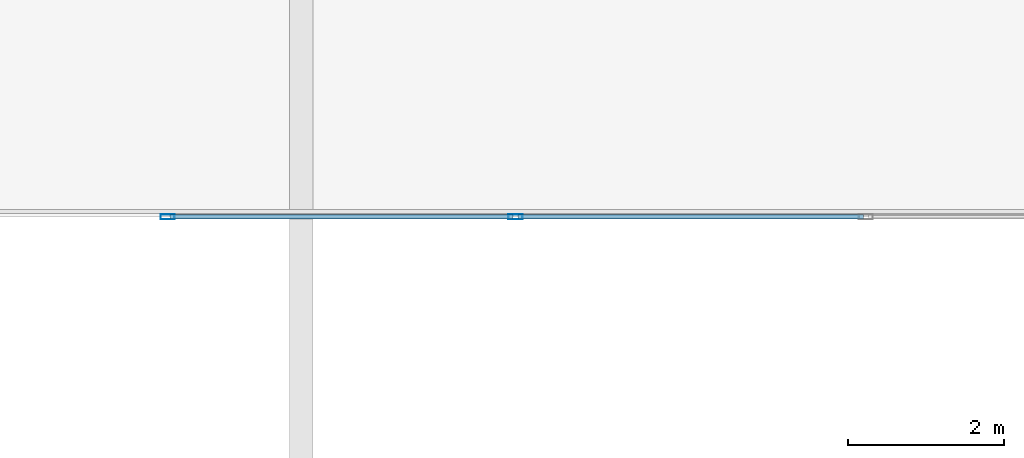
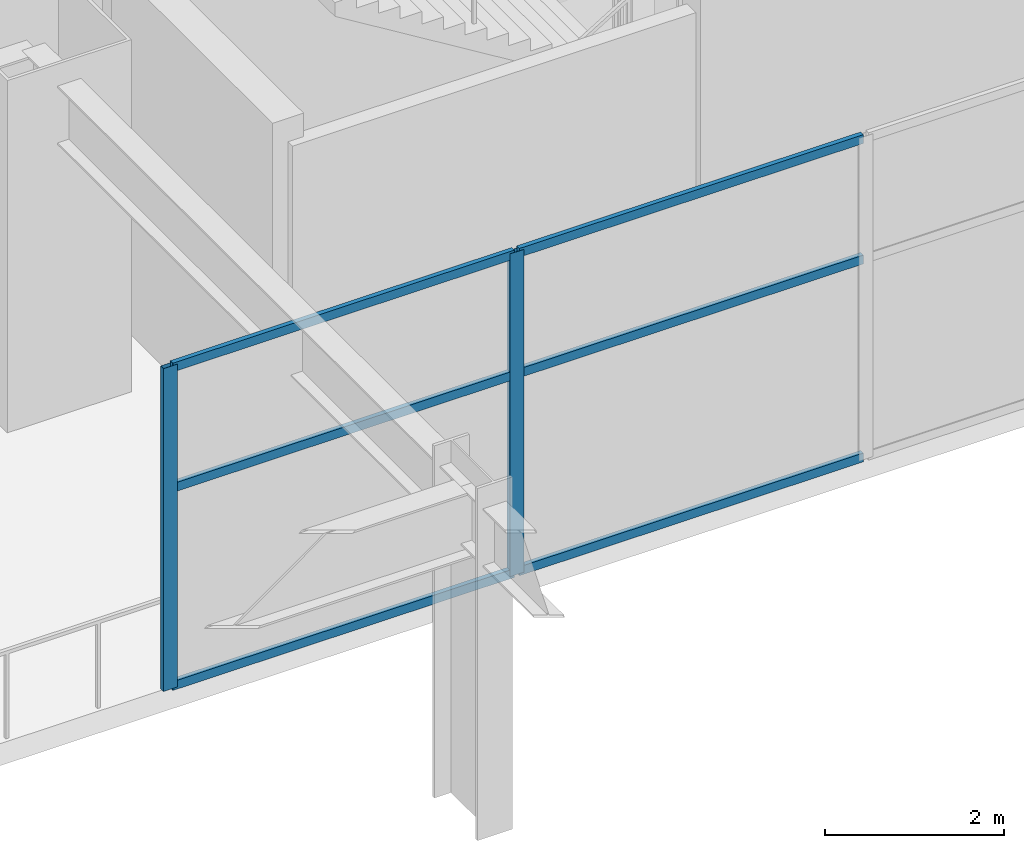
# One storey, part 8 of 30: 8 members, 1 element without a shape of its own.
"""IFC4 building model written with IfcOpenShell, lengths in metres."""

import ifcopenshell
import ifcopenshell.guid

model = None  # the IFC model being written
_history = None  # IfcOwnerHistory: only IFC2X3 demands one
_inside = {}  # id of a spatial element -> (the spatial element, [elements in it])
_under = {}  # id of a project, library or spatial element -> (it, [spatial elements below it])
_declared = {}  # id of a project -> (the project, [libraries it declares])
_typed = {}  # id of a type object -> (the type object, [elements of that type])
_made_of = {}  # id of a material, layer set ... -> (it, [elements and type objects made of it])


def new_model(schema):
    """Start an empty IFC model of exactly this schema.

    Asked for "IFC4X3", IfcOpenShell would pick the latest addendum, in which some entities
    have other attributes; the version numbers below select the first issue.
    IFC2X3 requires an IfcOwnerHistory on every rooted entity: one is made here for all.
    """
    global model, _history
    if schema == "IFC4X3":
        model = ifcopenshell.file(schema_version=(4, 3, 0, 0))
    else:
        model = ifcopenshell.file(schema=schema)
    _inside.clear()
    _under.clear()
    _declared.clear()
    _typed.clear()
    _made_of.clear()
    _history = None
    if model.schema == "IFC2X3":
        org = make("IfcOrganization", Name="unknown")
        user = make(
            "IfcPersonAndOrganization",
            ThePerson=make("IfcPerson", FamilyName="unknown"),
            TheOrganization=org,
        )
        app = make(
            "IfcApplication",
            ApplicationDeveloper=org,
            Version="unknown",
            ApplicationFullName="unknown",
            ApplicationIdentifier="unknown",
        )
        _history = make(
            "IfcOwnerHistory",
            OwningUser=user,
            OwningApplication=app,
            ChangeAction="ADDED",
            CreationDate=0,
        )
    return model


def make(cls, **values):
    """One entity of the class cls with the attributes given. An attribute that is None is left unset."""
    return model.create_entity(
        cls, **{name: value for name, value in values.items() if value is not None}
    )


def rooted(cls, **values):
    """An entity with a GlobalId (a new one), such as an element, a storey or a relation."""
    return make(cls, GlobalId=ifcopenshell.guid.new(), OwnerHistory=_history, **values)


def si_unit(unit_type, name, prefix=None):
    """IfcSIUnit, for example si_unit("LENGTHUNIT", "METRE", prefix="MILLI")."""
    return make("IfcSIUnit", UnitType=unit_type, Prefix=prefix, Name=name)


def assignment(units):
    """IfcUnitAssignment: the units of a project."""
    return None if units is None else make("IfcUnitAssignment", Units=units)


def point(xyz):
    """IfcCartesianPoint."""
    return None if xyz is None else make("IfcCartesianPoint", Coordinates=xyz)


def direction(xyz):
    """IfcDirection."""
    return None if xyz is None else make("IfcDirection", DirectionRatios=xyz)


def frame(location, z_axis=None, x_axis=None):
    """IfcAxis2Placement3D, a coordinate frame: its origin and axes. An axis left out is left unset."""
    return make(
        "IfcAxis2Placement3D",
        Location=point(location),
        Axis=direction(z_axis),
        RefDirection=direction(x_axis),
    )


def frame_2d(location, x_axis=None):
    """IfcAxis2Placement2D, a coordinate frame in the plane: its origin and x axis."""
    return make(
        "IfcAxis2Placement2D", Location=point(location), RefDirection=direction(x_axis)
    )


def origin():
    """The frame at (0, 0, 0) with its axes left unset."""
    return frame((0.0, 0.0, 0.0))


def origin_2d():
    """The frame at (0, 0) in the plane with its x axis left unset."""
    return frame_2d((0.0, 0.0))


def place(relative_to, where):
    """IfcLocalPlacement: puts the frame where relative to a parent placement (None: the world)."""
    return make(
        "IfcLocalPlacement", PlacementRelTo=relative_to, RelativePlacement=where
    )


def context(
    kind, dimensions, precision=None, world=None, true_north=None, identifier=None
):
    """IfcGeometricRepresentationContext, for example the 3D "Model" context."""
    return make(
        "IfcGeometricRepresentationContext",
        ContextIdentifier=identifier,
        ContextType=kind,
        CoordinateSpaceDimension=dimensions,
        Precision=precision,
        WorldCoordinateSystem=world,
        TrueNorth=true_north,
    )


def subcontext(parent, identifier, kind, view, scale=None):
    """IfcGeometricRepresentationSubContext, for example "Body" below "Model"."""
    return make(
        "IfcGeometricRepresentationSubContext",
        ContextIdentifier=identifier,
        ContextType=kind,
        ParentContext=parent,
        TargetScale=scale,
        TargetView=view,
    )


def project(units=None, contexts=None):
    """IfcProject with its units and contexts."""
    return rooted(
        "IfcProject",
        Name="project",
        RepresentationContexts=contexts,
        UnitsInContext=assignment(units),
    )


def spatial(cls, under=None, at=None, **own):
    """A site, building, storey or space (cls), placed at a placement, below another one or the project."""
    s = rooted(cls, ObjectPlacement=at, **own)
    if under is not None:
        _under.setdefault(under.id(), (under, []))[1].append(s)
    return s


def profile(cls, at=None, kind="AREA", **sizes):
    """A parametric profile (cls). Its sizes go by their IFC names, for example OverallWidth=200.0."""
    return make(cls, ProfileType=kind, Position=at, **sizes)


def hollow_rectangle(**sizes):
    """IfcRectangleHollowProfileDef."""
    return profile("IfcRectangleHollowProfileDef", **sizes)


def extrude(swept, where, along, depth):
    """IfcExtrudedAreaSolid: the profile swept, set in the frame where, extruded along a direction by depth."""
    return make(
        "IfcExtrudedAreaSolid",
        SweptArea=swept,
        Position=where,
        ExtrudedDirection=direction(along),
        Depth=depth,
    )


def shape(context_of_items, identifier, shape_type, items):
    """IfcShapeRepresentation: the items that make up one representation, for example the "Body"."""
    return make(
        "IfcShapeRepresentation",
        ContextOfItems=context_of_items,
        RepresentationIdentifier=identifier,
        RepresentationType=shape_type,
        Items=items,
    )


def material(Name=None, Category=None):
    """IfcMaterial."""
    return make("IfcMaterial", Name=Name, Category=Category)


def layer(
    of_material, thickness, ventilated=None, Name=None, Category=None, Priority=None
):
    """IfcMaterialLayer: one layer of a wall or slab, of a material (None: an air gap)."""
    return make(
        "IfcMaterialLayer",
        Material=of_material,
        LayerThickness=thickness,
        IsVentilated=ventilated,
        Name=Name,
        Category=Category,
        Priority=Priority,
    )


def layer_set(layers, Name=None):
    """IfcMaterialLayerSet."""
    return make("IfcMaterialLayerSet", MaterialLayers=layers, LayerSetName=Name)


def material_profile(
    of_material, cross_section, Name=None, Category=None, Priority=None
):
    """IfcMaterialProfile: a cross section and its material."""
    return make(
        "IfcMaterialProfile",
        Name=Name,
        Material=of_material,
        Profile=cross_section,
        Priority=Priority,
        Category=Category,
    )


def profile_set(profiles, Name=None, composite=None):
    """IfcMaterialProfileSet."""
    return make(
        "IfcMaterialProfileSet",
        Name=Name,
        MaterialProfiles=profiles,
        CompositeProfile=composite,
    )


def made_of(thing, what):
    """Note that an element or type object is made of a material, layer set ...; save() writes the relation."""
    if what is not None:
        _made_of.setdefault(what.id(), (what, []))[1].append(thing)
    return thing


def type_object(cls, material=None, **own):
    """A type object (cls), such as IfcWallType, which elements share."""
    return made_of(rooted(cls, **own), material)


def element(
    cls,
    number,
    at=None,
    inside=None,
    cuts=None,
    type_object=None,
    material=None,
    context=None,
    identifier="Body",
    shape_type=None,
    held_by="IfcProductDefinitionShape",
    body=None,
    shapes=None,
    **own,
):
    """One element of the class cls, such as IfcWall. Its Tag is "e" and its number.

    at: its placement. inside: the storey or other place that contains it. cuts: it is an
    opening in that element (IfcRelVoidsElement). A single representation is given by context,
    identifier, shape_type and body (its items); several are given by shapes. held_by: the class
    of the entity that holds the representations. save() writes the other relations.
    """
    e = rooted(cls, Tag="e%d" % number, ObjectPlacement=at, **own)
    if body is not None:
        shapes = [shape(context, identifier, shape_type, body)]
    if shapes is not None:
        e.Representation = make(held_by, Representations=shapes)
    if inside is not None:
        _inside.setdefault(inside.id(), (inside, []))[1].append(e)
    if cuts is not None:
        rooted(
            "IfcRelVoidsElement", RelatingBuildingElement=cuts, RelatedOpeningElement=e
        )
    if type_object is not None:
        _typed.setdefault(type_object.id(), (type_object, []))[1].append(e)
    return made_of(e, material)


def aggregate(whole, parts):
    """IfcRelAggregates: a whole, such as a stair, and the parts it consists of."""
    return rooted("IfcRelAggregates", RelatingObject=whole, RelatedObjects=parts)


def save(model, path):
    """Write the relations noted so far, then the file.

    IfcRelAggregates (storeys below a building ...), IfcRelContainedInSpatialStructure (elements
    in a storey), IfcRelDefinesByType, IfcRelAssociatesMaterial and IfcRelDeclares: one each for
    every whole, place, type object, material and project.
    """
    for whole, parts in _under.values():
        aggregate(whole, parts)
    for where, things in _inside.values():
        rooted(
            "IfcRelContainedInSpatialStructure",
            RelatedElements=things,
            RelatingStructure=where,
        )
    for kind, things in _typed.values():
        rooted("IfcRelDefinesByType", RelatedObjects=things, RelatingType=kind)
    for what, things in _made_of.values():
        rooted("IfcRelAssociatesMaterial", RelatedObjects=things, RelatingMaterial=what)
    for by, libraries in _declared.values():
        rooted("IfcRelDeclares", RelatingContext=by, RelatedDefinitions=libraries)
    model.write(path)


model = new_model("IFC4")

# Units and contexts
model_context = context("Model", 3, precision=1e-05, world=origin(), true_north=direction((0.0, 1.0)))
body_context = subcontext(model_context, "Body", "Model", "MODEL_VIEW")
ifc_project = project(units=[si_unit("LENGTHUNIT", "METRE"), si_unit("AREAUNIT", "SQUARE_METRE"), si_unit("VOLUMEUNIT", "CUBIC_METRE"), si_unit("PLANEANGLEUNIT", "RADIAN"), si_unit("MASSUNIT", "GRAM", prefix="KILO")], contexts=[model_context])

# Site, building, storey
site_placement = place(None, origin())
site = spatial("IfcSite", under=ifc_project, at=site_placement, CompositionType="ELEMENT")
building_placement = place(site_placement, origin())
building = spatial("IfcBuilding", under=site, at=building_placement, Name="Haevon Station Towers", CompositionType="ELEMENT")
storey_placement = place(building_placement, frame((0.0, 0.0, 15.60009765625)))
storey = spatial("IfcBuildingStorey", under=building, at=storey_placement, Name="L03", CompositionType="ELEMENT", Elevation=15.60009765625)

# Curtain wall, members
ifc_material_1 = material(Name="Anodised aluminium and Low-E double glazing", Category="aluminium")
ifc_layer = layer(ifc_material_1, 0.179931640625)
ifc_layer_set = layer_set([ifc_layer], Name="Anodised aluminium and Low-E double glazing")
curtain_wall_type = type_object("IfcCurtainWallType", Name="CW-SYS2", PredefinedType="NOTDEFINED", material=ifc_layer_set)
curtain_wall_placement = place(storey_placement, origin())
curtain_wall = element("IfcCurtainWall", 1, at=curtain_wall_placement, inside=storey, type_object=curtain_wall_type, Name="L03 Curtain Wall CW-POD-L03-ATRN", PredefinedType="NOTDEFINED")
ifc_material_2 = material(Name="Anodised aluminium 6063-T6", Category="aluminium")
ifc_material_profile_1 = material_profile(ifc_material_2, hollow_rectangle(XDim=0.06494140625, YDim=0.179931640625, WallThickness=0.00390625, at=origin_2d()), Name="CWM-180x65x4")
ifc_profile_set_1 = profile_set([ifc_material_profile_1], Name="Anodised aluminium 6063-T6")
member_type_1 = type_object("IfcMemberType", Name="CWM-180", PredefinedType="MULLION", material=ifc_profile_set_1)
member_1_placement = place(storey_placement, frame((63.032470703125, 42.0, 0.0), z_axis=(0.0, 0.0, 1.0), x_axis=(0.0, 1.0, 0.0)))
member_1 = element("IfcMember", 2, at=member_1_placement, type_object=member_type_1, Name="CW-SYS2 mullion 1", PredefinedType="MULLION", context=body_context, shape_type="SweptSolid", body=[
    extrude(hollow_rectangle(XDim=0.06494140625, YDim=0.179931640625, WallThickness=0.00390625, at=origin_2d()), origin(), (0.0, 0.0, 1.0), 4.39990234375),
])
member_2_placement = place(storey_placement, frame((67.5, 42.0, 0.0), z_axis=(0.0, 0.0, 1.0), x_axis=(0.0, 1.0, 0.0)))
member_2 = element("IfcMember", 3, at=member_2_placement, type_object=member_type_1, Name="CW-SYS2 mullion 2", PredefinedType="MULLION", context=body_context, shape_type="SweptSolid", body=[
    extrude(hollow_rectangle(XDim=0.06494140625, YDim=0.179931640625, WallThickness=0.00390625, at=origin_2d()), origin(), (0.0, 0.0, 1.0), 4.39990234375),
])
ifc_material_profile_2 = material_profile(ifc_material_2, hollow_rectangle(XDim=0.06005859375, YDim=0.1201171875, WallThickness=0.0029296875, at=origin_2d()), Name="CWT-120x60x3")
ifc_profile_set_2 = profile_set([ifc_material_profile_2], Name="Anodised aluminium 6063-T6")
member_type_2 = type_object("IfcMemberType", Name="CWT-120", PredefinedType="USERDEFINED", material=ifc_profile_set_2)
member_3_placement = place(storey_placement, frame((63.06494140625, 42.0, 0.02978515625), z_axis=(1.0, 0.0, 0.0), x_axis=(0.0, 1.0, 0.0)))
member_3 = element("IfcMember", 4, at=member_3_placement, type_object=member_type_2, Name="CW-SYS2 transom 1.1", ObjectType="TRANSOM", PredefinedType="USERDEFINED", context=body_context, shape_type="SweptSolid", body=[
    extrude(hollow_rectangle(XDim=0.06005859375, YDim=0.1201171875, WallThickness=0.0029296875, at=origin_2d()), origin(), (0.0, 0.0, 1.0), 4.402587890625),
])
member_4_placement = place(storey_placement, frame((63.06494140625, 42.0, 2.727783203125), z_axis=(1.0, 0.0, 0.0), x_axis=(0.0, 1.0, 0.0)))
member_4 = element("IfcMember", 5, at=member_4_placement, type_object=member_type_2, Name="CW-SYS2 transom 1.2", ObjectType="TRANSOM", PredefinedType="USERDEFINED", context=body_context, shape_type="SweptSolid", body=[
    extrude(hollow_rectangle(XDim=0.06005859375, YDim=0.1201171875, WallThickness=0.0029296875, at=origin_2d()), origin(), (0.0, 0.0, 1.0), 4.402587890625),
])
member_5_placement = place(storey_placement, frame((63.06494140625, 42.0, 4.369873046875), z_axis=(1.0, 0.0, 0.0), x_axis=(0.0, 1.0, 0.0)))
member_5 = element("IfcMember", 6, at=member_5_placement, type_object=member_type_2, Name="CW-SYS2 transom 1.3", ObjectType="TRANSOM", PredefinedType="USERDEFINED", context=body_context, shape_type="SweptSolid", body=[
    extrude(hollow_rectangle(XDim=0.06005859375, YDim=0.1201171875, WallThickness=0.0029296875, at=origin_2d()), origin(), (0.0, 0.0, 1.0), 4.402587890625),
])
member_6_placement = place(storey_placement, frame((67.532470703125, 42.0, 0.02978515625), z_axis=(1.0, 0.0, 0.0), x_axis=(0.0, 1.0, 0.0)))
member_6 = element("IfcMember", 7, at=member_6_placement, type_object=member_type_2, Name="CW-SYS2 transom 2.1", ObjectType="TRANSOM", PredefinedType="USERDEFINED", context=body_context, shape_type="SweptSolid", body=[
    extrude(hollow_rectangle(XDim=0.06005859375, YDim=0.1201171875, WallThickness=0.0029296875, at=origin_2d()), origin(), (0.0, 0.0, 1.0), 4.43505859375),
])
member_7_placement = place(storey_placement, frame((67.532470703125, 42.0, 2.727783203125), z_axis=(1.0, 0.0, 0.0), x_axis=(0.0, 1.0, 0.0)))
member_7 = element("IfcMember", 8, at=member_7_placement, type_object=member_type_2, Name="CW-SYS2 transom 2.2", ObjectType="TRANSOM", PredefinedType="USERDEFINED", context=body_context, shape_type="SweptSolid", body=[
    extrude(hollow_rectangle(XDim=0.06005859375, YDim=0.1201171875, WallThickness=0.0029296875, at=origin_2d()), origin(), (0.0, 0.0, 1.0), 4.43505859375),
])
member_8_placement = place(storey_placement, frame((67.532470703125, 42.0, 4.369873046875), z_axis=(1.0, 0.0, 0.0), x_axis=(0.0, 1.0, 0.0)))
member_8 = element("IfcMember", 9, at=member_8_placement, type_object=member_type_2, Name="CW-SYS2 transom 2.3", ObjectType="TRANSOM", PredefinedType="USERDEFINED", context=body_context, shape_type="SweptSolid", body=[
    extrude(hollow_rectangle(XDim=0.06005859375, YDim=0.1201171875, WallThickness=0.0029296875, at=origin_2d()), origin(), (0.0, 0.0, 1.0), 4.43505859375),
])
aggregate(curtain_wall, [member_1, member_2, member_3, member_4, member_5, member_6, member_7, member_8])

save(model, "model.ifc")
